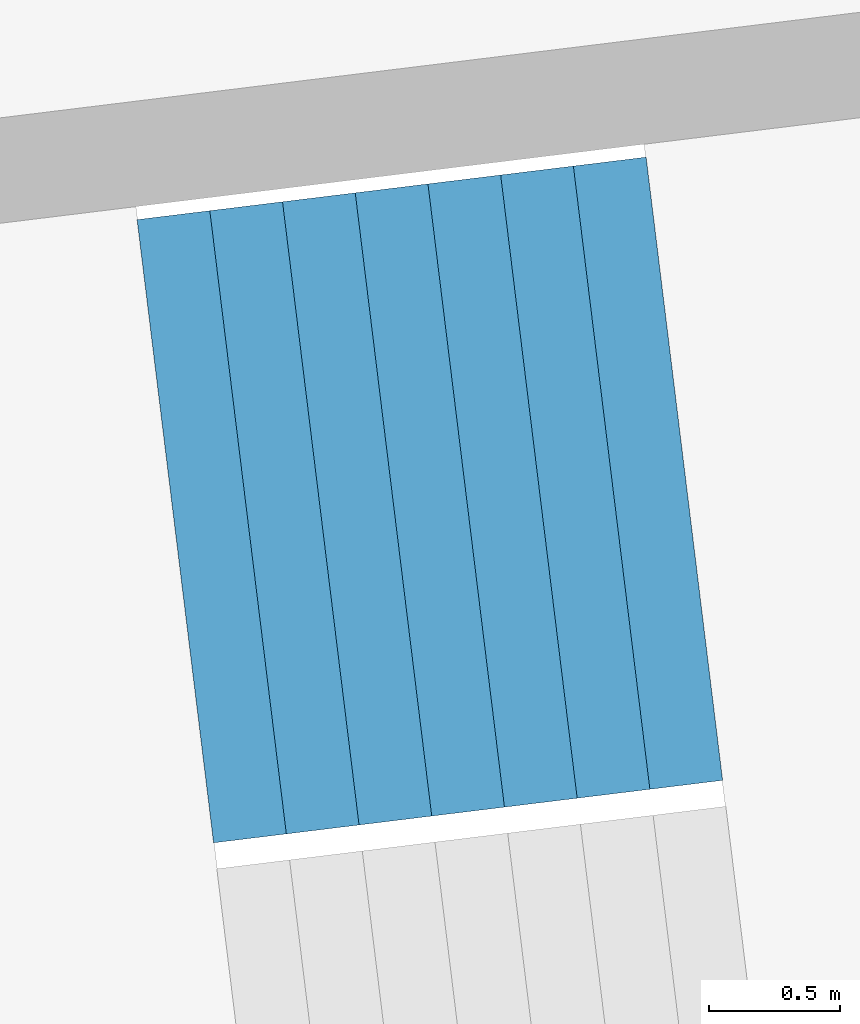
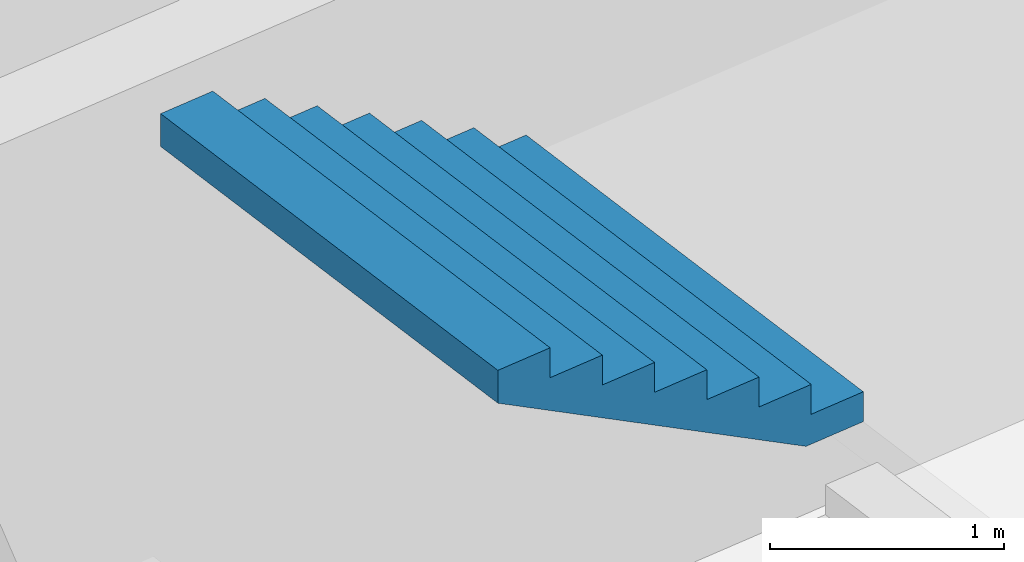
# One storey, part 60 of 73: 1 stair flight, 1 element without a shape of its own.
"""IFC4 building model written with IfcOpenShell, lengths in metres."""

from ifc_helpers import new_model, si_unit, direction, frame, origin, place, context, subcontext, project, spatial, triangles, material, type_object, element, aggregate, save


model = new_model("IFC4")

# Units and contexts
model_context = context("Model", 3, precision=1e-05, world=origin(), true_north=direction((0.0, 1.0)))
body_context = subcontext(model_context, "Body", "Model", "MODEL_VIEW")
ifc_project = project(units=[si_unit("LENGTHUNIT", "METRE"), si_unit("AREAUNIT", "SQUARE_METRE"), si_unit("VOLUMEUNIT", "CUBIC_METRE"), si_unit("PLANEANGLEUNIT", "RADIAN"), si_unit("MASSUNIT", "GRAM", prefix="KILO")], contexts=[model_context])

# Site, building, storey
site_placement = place(None, origin())
site = spatial("IfcSite", under=ifc_project, at=site_placement, CompositionType="ELEMENT")
building_placement = place(site_placement, origin())
building = spatial("IfcBuilding", under=site, at=building_placement, Name="Lantaw Convention Tower", CompositionType="ELEMENT")
storey_placement = place(building_placement, frame((0.0, 0.0, 27.0)))
storey = spatial("IfcBuildingStorey", under=building, at=storey_placement, Name="L04", CompositionType="ELEMENT", Elevation=27.0)

# Stair, stair flight
ifc_material = material(Name="Concrete C35/45", Category="concrete")
stair_type = type_object("IfcStairType", Name="Exit stair 2400 riser 156.25 in 4 flights", PredefinedType="HALF_TURN_STAIR", material=ifc_material)
stair_placement = place(storey_placement, origin())
stair = element("IfcStair", 1, at=stair_placement, inside=storey, type_object=stair_type, Name="Podium exit stair P1 L04", PredefinedType="HALF_TURN_STAIR")
stair_flight_type = type_object("IfcStairFlightType", Name="Stair flight 2400 riser 156.25", PredefinedType="STRAIGHT", material=ifc_material)
stair_flight_placement = place(storey_placement, frame((39.9169921875, 6.16064453125, 3.75), z_axis=(0.0, 0.0, 1.0), x_axis=(-0.992546151641, -0.121869343405, 0.0)))
stair_flight = element("IfcStairFlight", 2, at=stair_flight_placement, type_object=stair_flight_type, Name="P1 flight 4", NumberOfRisers=8, NumberOfTreads=7, PredefinedType="STRAIGHT", RiserHeight=0.15625, TreadLength=0.28, context=body_context, shape_type="Tessellation", body=[
    triangles([(0.0, 1.199951171875, 0.0), (0.0, 1.199951171875, 0.15625), (0.28, 1.199951171875, 0.0), (0.28, 1.199951171875, 0.15625), (0.28, 1.199951171875, 0.3125), (0.3076200632058044, 1.199951171875, 0.0), (0.3076200632058044, 1.199951171875, 0.3125), (0.56, 1.199951171875, 0.14083701830033238), (0.56, 1.199951171875, 0.3125), (0.56, 1.199951171875, 0.46875), (0.8400000000000001, 1.199951171875, 0.29708701830033235), (0.8400000000000001, 1.199951171875, 0.46875), (0.8400000000000001, 1.199951171875, 0.625), (1.12, 1.199951171875, 0.45333701830033235), (1.12, 1.199951171875, 0.625), (1.12, 1.199951171875, 0.78125), (1.4000000000000001, 1.199951171875, 0.6095870183003324), (1.4000000000000001, 1.199951171875, 0.78125), (1.4000000000000001, 1.199951171875, 0.9375), (1.6800000000000002, 1.199951171875, 0.7658370183003324), (1.6800000000000002, 1.199951171875, 0.9375), (1.6800000000000002, 1.199951171875, 1.09375), (1.9600000000000002, 1.199951171875, 0.9220870183003324), (1.9600000000000002, 1.199951171875, 1.09375), (0.0, -1.199951171875, 0.0), (0.0, -1.199951171875, 0.15625), (0.28, -1.199951171875, 0.0), (0.28, -1.199951171875, 0.15625), (0.28, -1.199951171875, 0.3125), (0.3076200632058044, -1.199951171875, 0.0), (0.3076200632058044, -1.199951171875, 0.3125), (0.56, -1.199951171875, 0.14083701830033238), (0.56, -1.199951171875, 0.3125), (0.56, -1.199951171875, 0.46875), (0.8400000000000001, -1.199951171875, 0.29708701830033235), (0.8400000000000001, -1.199951171875, 0.46875), (0.8400000000000001, -1.199951171875, 0.625), (1.12, -1.199951171875, 0.45333701830033235), (1.12, -1.199951171875, 0.625), (1.12, -1.199951171875, 0.78125), (1.4000000000000001, -1.199951171875, 0.6095870183003324), (1.4000000000000001, -1.199951171875, 0.78125), (1.4000000000000001, -1.199951171875, 0.9375), (1.6800000000000002, -1.199951171875, 0.7658370183003324), (1.6800000000000002, -1.199951171875, 0.9375), (1.6800000000000002, -1.199951171875, 1.09375), (1.9600000000000002, -1.199951171875, 0.9220870183003324), (1.9600000000000002, -1.199951171875, 1.09375), (0.0, 0.239990234375, 0.15625), (0.0, 0.239990234375, 0.0), (0.0, 0.1919921875, 0.15625), (0.0, 0.1919921875, 0.0), (0.0, 0.143994140625, 0.15625), (0.0, 0.143994140625, 0.0), (0.0, 0.09599609375, 0.15625), (0.0, 0.09599609375, 0.0), (0.0, 0.047998046875, 0.15625), (0.0, 0.047998046875, 0.0), (0.0, 0.0, 0.15625), (0.0, 0.0, 0.0), (0.0, -0.047998046875, 0.15625), (0.0, -0.047998046875, 0.0), (0.0, -0.09599609375, 0.15625), (0.0, -0.09599609375, 0.0), (0.0, -0.143994140625, 0.15625), (0.0, -0.143994140625, 0.0), (0.0, -0.1919921875, 0.15625), (0.0, -0.1919921875, 0.0), (0.0, -0.239990234375, 0.15625), (0.0, -0.239990234375, 0.0), (0.28, 0.239990234375, 0.3125), (0.28, 0.239990234375, 0.15625), (0.28, 0.1919921875, 0.3125), (0.28, 0.1919921875, 0.15625), (0.28, 0.143994140625, 0.3125), (0.28, 0.143994140625, 0.15625), (0.28, 0.09599609375, 0.3125), (0.28, 0.09599609375, 0.15625), (0.28, 0.047998046875, 0.3125), (0.28, 0.047998046875, 0.15625), (0.28, 0.0, 0.3125), (0.28, 0.0, 0.15625), (0.28, -0.047998046875, 0.3125), (0.28, -0.047998046875, 0.15625), (0.28, -0.09599609375, 0.3125), (0.28, -0.09599609375, 0.15625), (0.28, -0.143994140625, 0.3125), (0.28, -0.143994140625, 0.15625), (0.28, -0.1919921875, 0.3125), (0.28, -0.1919921875, 0.15625), (0.28, -0.239990234375, 0.3125), (0.28, -0.239990234375, 0.15625), (0.56, 0.239990234375, 0.46875), (0.56, 0.239990234375, 0.3125), (0.56, 0.1919921875, 0.46875), (0.56, 0.1919921875, 0.3125), (0.56, 0.143994140625, 0.46875), (0.56, 0.143994140625, 0.3125), (0.56, 0.09599609375, 0.46875), (0.56, 0.09599609375, 0.3125), (0.56, 0.047998046875, 0.46875), (0.56, 0.047998046875, 0.3125), (0.56, 0.0, 0.46875), (0.56, 0.0, 0.3125), (0.56, -0.047998046875, 0.46875), (0.56, -0.047998046875, 0.3125), (0.56, -0.09599609375, 0.46875), (0.56, -0.09599609375, 0.3125), (0.56, -0.143994140625, 0.46875), (0.56, -0.143994140625, 0.3125), (0.56, -0.1919921875, 0.46875), (0.56, -0.1919921875, 0.3125), (0.56, -0.239990234375, 0.46875), (0.56, -0.239990234375, 0.3125), (0.8400000000000001, 0.239990234375, 0.625), (0.8400000000000001, 0.239990234375, 0.46875), (0.8400000000000001, 0.1919921875, 0.625), (0.8400000000000001, 0.1919921875, 0.46875), (0.8400000000000001, 0.143994140625, 0.625), (0.8400000000000001, 0.143994140625, 0.46875), (0.8400000000000001, 0.09599609375, 0.625), (0.8400000000000001, 0.09599609375, 0.46875), (0.8400000000000001, 0.047998046875, 0.625), (0.8400000000000001, 0.047998046875, 0.46875), (0.8400000000000001, 0.0, 0.625), (0.8400000000000001, 0.0, 0.46875), (0.8400000000000001, -0.047998046875, 0.625), (0.8400000000000001, -0.047998046875, 0.46875), (0.8400000000000001, -0.09599609375, 0.625), (0.8400000000000001, -0.09599609375, 0.46875), (0.8400000000000001, -0.143994140625, 0.625), (0.8400000000000001, -0.143994140625, 0.46875), (0.8400000000000001, -0.1919921875, 0.625), (0.8400000000000001, -0.1919921875, 0.46875), (0.8400000000000001, -0.239990234375, 0.625), (0.8400000000000001, -0.239990234375, 0.46875), (1.12, 0.239990234375, 0.78125), (1.12, 0.239990234375, 0.625), (1.12, 0.1919921875, 0.78125), (1.12, 0.1919921875, 0.625), (1.12, 0.143994140625, 0.78125), (1.12, 0.143994140625, 0.625), (1.12, 0.09599609375, 0.78125), (1.12, 0.09599609375, 0.625), (1.12, 0.047998046875, 0.78125), (1.12, 0.047998046875, 0.625), (1.12, 0.0, 0.78125), (1.12, 0.0, 0.625), (1.12, -0.047998046875, 0.78125), (1.12, -0.047998046875, 0.625), (1.12, -0.09599609375, 0.78125), (1.12, -0.09599609375, 0.625), (1.12, -0.143994140625, 0.78125), (1.12, -0.143994140625, 0.625), (1.12, -0.1919921875, 0.78125), (1.12, -0.1919921875, 0.625), (1.12, -0.239990234375, 0.78125), (1.12, -0.239990234375, 0.625), (1.4000000000000001, 0.239990234375, 0.9375), (1.4000000000000001, 0.239990234375, 0.78125), (1.4000000000000001, 0.1919921875, 0.9375), (1.4000000000000001, 0.1919921875, 0.78125), (1.4000000000000001, 0.143994140625, 0.9375), (1.4000000000000001, 0.143994140625, 0.78125), (1.4000000000000001, 0.09599609375, 0.9375), (1.4000000000000001, 0.09599609375, 0.78125), (1.4000000000000001, 0.047998046875, 0.9375), (1.4000000000000001, 0.047998046875, 0.78125), (1.4000000000000001, 0.0, 0.9375), (1.4000000000000001, 0.0, 0.78125), (1.4000000000000001, -0.047998046875, 0.9375), (1.4000000000000001, -0.047998046875, 0.78125), (1.4000000000000001, -0.09599609375, 0.9375), (1.4000000000000001, -0.09599609375, 0.78125), (1.4000000000000001, -0.143994140625, 0.9375), (1.4000000000000001, -0.143994140625, 0.78125), (1.4000000000000001, -0.1919921875, 0.9375), (1.4000000000000001, -0.1919921875, 0.78125), (1.4000000000000001, -0.239990234375, 0.9375), (1.4000000000000001, -0.239990234375, 0.78125), (1.6800000000000002, 0.239990234375, 1.09375), (1.6800000000000002, 0.239990234375, 0.9375), (1.6800000000000002, 0.1919921875, 1.09375), (1.6800000000000002, 0.1919921875, 0.9375), (1.6800000000000002, 0.143994140625, 1.09375), (1.6800000000000002, 0.143994140625, 0.9375), (1.6800000000000002, 0.09599609375, 1.09375), (1.6800000000000002, 0.09599609375, 0.9375), (1.6800000000000002, 0.047998046875, 1.09375), (1.6800000000000002, 0.047998046875, 0.9375), (1.6800000000000002, 0.0, 1.09375), (1.6800000000000002, 0.0, 0.9375), (1.6800000000000002, -0.047998046875, 1.09375), (1.6800000000000002, -0.047998046875, 0.9375), (1.6800000000000002, -0.09599609375, 1.09375), (1.6800000000000002, -0.09599609375, 0.9375), (1.6800000000000002, -0.143994140625, 1.09375), (1.6800000000000002, -0.143994140625, 0.9375), (1.6800000000000002, -0.1919921875, 1.09375), (1.6800000000000002, -0.1919921875, 0.9375), (1.6800000000000002, -0.239990234375, 1.09375), (1.6800000000000002, -0.239990234375, 0.9375), (0.3076200632058044, 0.239990234375, 0.3125), (0.3076200632058044, 0.1919921875, 0.3125), (0.3076200632058044, 0.143994140625, 0.3125), (0.3076200632058044, 0.09599609375, 0.3125), (0.3076200632058044, 0.047998046875, 0.3125), (0.3076200632058044, 0.0, 0.3125), (0.3076200632058044, -0.047998046875, 0.3125), (0.3076200632058044, -0.09599609375, 0.3125), (0.3076200632058044, -0.143994140625, 0.3125), (0.3076200632058044, -0.1919921875, 0.3125), (0.3076200632058044, -0.239990234375, 0.3125), (1.9600000000000002, 0.239990234375, 1.09375), (1.9600000000000002, 0.1919921875, 1.09375), (1.9600000000000002, 0.143994140625, 1.09375), (1.9600000000000002, 0.09599609375, 1.09375), (1.9600000000000002, 0.047998046875, 1.09375), (1.9600000000000002, 0.0, 1.09375), (1.9600000000000002, -0.047998046875, 1.09375), (1.9600000000000002, -0.09599609375, 1.09375), (1.9600000000000002, -0.143994140625, 1.09375), (1.9600000000000002, -0.1919921875, 1.09375), (1.9600000000000002, -0.239990234375, 1.09375), (1.9600000000000002, 0.239990234375, 0.9220870183003324), (1.9600000000000002, 0.1919921875, 0.9220870183003324), (1.9600000000000002, 0.143994140625, 0.9220870183003324), (1.9600000000000002, 0.09599609375, 0.9220870183003324), (1.9600000000000002, 0.047998046875, 0.9220870183003324), (1.9600000000000002, 0.0, 0.9220870183003324), (1.9600000000000002, -0.047998046875, 0.9220870183003324), (1.9600000000000002, -0.09599609375, 0.9220870183003324), (1.9600000000000002, -0.143994140625, 0.9220870183003324), (1.9600000000000002, -0.1919921875, 0.9220870183003324), (1.9600000000000002, -0.239990234375, 0.9220870183003324), (1.6800000000000002, 0.239990234375, 0.7658370183003324), (1.6800000000000002, 0.1919921875, 0.7658370183003324), (1.6800000000000002, 0.143994140625, 0.7658370183003324), (1.6800000000000002, 0.09599609375, 0.7658370183003324), (1.6800000000000002, 0.047998046875, 0.7658370183003324), (1.6800000000000002, 0.0, 0.7658370183003324), (1.6800000000000002, -0.047998046875, 0.7658370183003324), (1.6800000000000002, -0.09599609375, 0.7658370183003324), (1.6800000000000002, -0.143994140625, 0.7658370183003324), (1.6800000000000002, -0.1919921875, 0.7658370183003324), (1.6800000000000002, -0.239990234375, 0.7658370183003324), (1.4000000000000001, 0.239990234375, 0.6095870183003324), (1.4000000000000001, 0.1919921875, 0.6095870183003324), (1.4000000000000001, 0.143994140625, 0.6095870183003324), (1.4000000000000001, 0.09599609375, 0.6095870183003324), (1.4000000000000001, 0.047998046875, 0.6095870183003324), (1.4000000000000001, 0.0, 0.6095870183003324), (1.4000000000000001, -0.047998046875, 0.6095870183003324), (1.4000000000000001, -0.09599609375, 0.6095870183003324), (1.4000000000000001, -0.143994140625, 0.6095870183003324), (1.4000000000000001, -0.1919921875, 0.6095870183003324), (1.4000000000000001, -0.239990234375, 0.6095870183003324), (1.12, 0.239990234375, 0.45333701830033235), (1.12, 0.1919921875, 0.45333701830033235), (1.12, 0.143994140625, 0.45333701830033235), (1.12, 0.09599609375, 0.45333701830033235), (1.12, 0.047998046875, 0.45333701830033235), (1.12, 0.0, 0.45333701830033235), (1.12, -0.047998046875, 0.45333701830033235), (1.12, -0.09599609375, 0.45333701830033235), (1.12, -0.143994140625, 0.45333701830033235), (1.12, -0.1919921875, 0.45333701830033235), (1.12, -0.239990234375, 0.45333701830033235), (0.8400000000000001, 0.239990234375, 0.29708701830033235), (0.8400000000000001, 0.1919921875, 0.29708701830033235), (0.8400000000000001, 0.143994140625, 0.29708701830033235), (0.8400000000000001, 0.09599609375, 0.29708701830033235), (0.8400000000000001, 0.047998046875, 0.29708701830033235), (0.8400000000000001, 0.0, 0.29708701830033235), (0.8400000000000001, -0.047998046875, 0.29708701830033235), (0.8400000000000001, -0.09599609375, 0.29708701830033235), (0.8400000000000001, -0.143994140625, 0.29708701830033235), (0.8400000000000001, -0.1919921875, 0.29708701830033235), (0.8400000000000001, -0.239990234375, 0.29708701830033235), (0.56, 0.239990234375, 0.14083701830033238), (0.56, 0.1919921875, 0.14083701830033238), (0.56, 0.143994140625, 0.14083701830033238), (0.56, 0.09599609375, 0.14083701830033238), (0.56, 0.047998046875, 0.14083701830033238), (0.56, 0.0, 0.14083701830033238), (0.56, -0.047998046875, 0.14083701830033238), (0.56, -0.09599609375, 0.14083701830033238), (0.56, -0.143994140625, 0.14083701830033238), (0.56, -0.1919921875, 0.14083701830033238), (0.56, -0.239990234375, 0.14083701830033238), (0.3076200632058044, 0.239990234375, 0.0), (0.3076200632058044, 0.1919921875, 0.0), (0.3076200632058044, 0.143994140625, 0.0), (0.3076200632058044, 0.09599609375, 0.0), (0.3076200632058044, 0.047998046875, 0.0), (0.3076200632058044, 0.0, 0.0), (0.3076200632058044, -0.047998046875, 0.0), (0.3076200632058044, -0.09599609375, 0.0), (0.3076200632058044, -0.143994140625, 0.0), (0.3076200632058044, -0.1919921875, 0.0), (0.3076200632058044, -0.239990234375, 0.0), (0.28, 0.239990234375, 0.0), (0.28, 0.1919921875, 0.0), (0.28, 0.143994140625, 0.0), (0.28, 0.09599609375, 0.0), (0.28, 0.047998046875, 0.0), (0.28, 0.0, 0.0), (0.28, -0.047998046875, 0.0), (0.28, -0.09599609375, 0.0), (0.28, -0.143994140625, 0.0), (0.28, -0.1919921875, 0.0), (0.28, -0.239990234375, 0.0)], [[1, 4, 3], [1, 2, 4], [3, 4, 6], [4, 7, 6], [4, 5, 7], [6, 9, 8], [6, 7, 9], [8, 9, 11], [9, 12, 11], [9, 10, 12], [11, 12, 14], [12, 15, 14], [12, 13, 15], [14, 15, 17], [15, 18, 17], [15, 16, 18], [17, 18, 20], [18, 21, 20], [18, 19, 21], [20, 21, 23], [21, 24, 23], [21, 22, 24], [25, 27, 28], [25, 28, 26], [27, 30, 28], [28, 30, 31], [28, 31, 29], [30, 32, 33], [30, 33, 31], [32, 35, 33], [33, 35, 36], [33, 36, 34], [35, 38, 36], [36, 38, 39], [36, 39, 37], [38, 41, 39], [39, 41, 42], [39, 42, 40], [41, 44, 42], [42, 44, 45], [42, 45, 43], [44, 47, 45], [45, 47, 48], [45, 48, 46], [1, 49, 2], [1, 50, 49], [50, 51, 49], [50, 52, 51], [52, 53, 51], [52, 54, 53], [54, 55, 53], [54, 56, 55], [56, 57, 55], [56, 58, 57], [58, 59, 57], [58, 60, 59], [60, 61, 59], [60, 62, 61], [62, 63, 61], [62, 64, 63], [64, 65, 63], [64, 66, 65], [66, 67, 65], [66, 68, 67], [68, 69, 67], [68, 70, 69], [70, 26, 69], [70, 25, 26], [4, 71, 5], [4, 72, 71], [72, 73, 71], [72, 74, 73], [74, 75, 73], [74, 76, 75], [76, 77, 75], [76, 78, 77], [78, 79, 77], [78, 80, 79], [80, 81, 79], [80, 82, 81], [82, 83, 81], [82, 84, 83], [84, 85, 83], [84, 86, 85], [86, 87, 85], [86, 88, 87], [88, 89, 87], [88, 90, 89], [90, 91, 89], [90, 92, 91], [92, 29, 91], [92, 28, 29], [9, 93, 10], [9, 94, 93], [94, 95, 93], [94, 96, 95], [96, 97, 95], [96, 98, 97], [98, 99, 97], [98, 100, 99], [100, 101, 99], [100, 102, 101], [102, 103, 101], [102, 104, 103], [104, 105, 103], [104, 106, 105], [106, 107, 105], [106, 108, 107], [108, 109, 107], [108, 110, 109], [110, 111, 109], [110, 112, 111], [112, 113, 111], [112, 114, 113], [114, 34, 113], [114, 33, 34], [12, 115, 13], [12, 116, 115], [116, 117, 115], [116, 118, 117], [118, 119, 117], [118, 120, 119], [120, 121, 119], [120, 122, 121], [122, 123, 121], [122, 124, 123], [124, 125, 123], [124, 126, 125], [126, 127, 125], [126, 128, 127], [128, 129, 127], [128, 130, 129], [130, 131, 129], [130, 132, 131], [132, 133, 131], [132, 134, 133], [134, 135, 133], [134, 136, 135], [136, 37, 135], [136, 36, 37], [15, 137, 16], [15, 138, 137], [138, 139, 137], [138, 140, 139], [140, 141, 139], [140, 142, 141], [142, 143, 141], [142, 144, 143], [144, 145, 143], [144, 146, 145], [146, 147, 145], [146, 148, 147], [148, 149, 147], [148, 150, 149], [150, 151, 149], [150, 152, 151], [152, 153, 151], [152, 154, 153], [154, 155, 153], [154, 156, 155], [156, 157, 155], [156, 158, 157], [158, 40, 157], [158, 39, 40], [18, 159, 19], [18, 160, 159], [160, 161, 159], [160, 162, 161], [162, 163, 161], [162, 164, 163], [164, 165, 163], [164, 166, 165], [166, 167, 165], [166, 168, 167], [168, 169, 167], [168, 170, 169], [170, 171, 169], [170, 172, 171], [172, 173, 171], [172, 174, 173], [174, 175, 173], [174, 176, 175], [176, 177, 175], [176, 178, 177], [178, 179, 177], [178, 180, 179], [180, 43, 179], [180, 42, 43], [21, 181, 22], [21, 182, 181], [182, 183, 181], [182, 184, 183], [184, 185, 183], [184, 186, 185], [186, 187, 185], [186, 188, 187], [188, 189, 187], [188, 190, 189], [190, 191, 189], [190, 192, 191], [192, 193, 191], [192, 194, 193], [194, 195, 193], [194, 196, 195], [196, 197, 195], [196, 198, 197], [198, 199, 197], [198, 200, 199], [200, 201, 199], [200, 202, 201], [202, 46, 201], [202, 45, 46], [2, 72, 4], [2, 49, 72], [49, 74, 72], [49, 51, 74], [51, 76, 74], [51, 53, 76], [53, 78, 76], [53, 55, 78], [55, 80, 78], [55, 57, 80], [57, 82, 80], [57, 59, 82], [59, 84, 82], [59, 61, 84], [61, 86, 84], [61, 63, 86], [63, 88, 86], [63, 65, 88], [65, 90, 88], [65, 67, 90], [67, 92, 90], [67, 69, 92], [69, 28, 92], [69, 26, 28], [5, 203, 7], [5, 71, 203], [71, 204, 203], [71, 73, 204], [73, 205, 204], [73, 75, 205], [75, 206, 205], [75, 77, 206], [77, 207, 206], [77, 79, 207], [79, 208, 207], [79, 81, 208], [81, 209, 208], [81, 83, 209], [83, 210, 209], [83, 85, 210], [85, 211, 210], [85, 87, 211], [87, 212, 211], [87, 89, 212], [89, 213, 212], [89, 91, 213], [91, 31, 213], [91, 29, 31], [7, 94, 9], [7, 203, 94], [203, 96, 94], [203, 204, 96], [204, 98, 96], [204, 205, 98], [205, 100, 98], [205, 206, 100], [206, 102, 100], [206, 207, 102], [207, 104, 102], [207, 208, 104], [208, 106, 104], [208, 209, 106], [209, 108, 106], [209, 210, 108], [210, 110, 108], [210, 211, 110], [211, 112, 110], [211, 212, 112], [212, 114, 112], [212, 213, 114], [213, 33, 114], [213, 31, 33], [10, 116, 12], [10, 93, 116], [93, 118, 116], [93, 95, 118], [95, 120, 118], [95, 97, 120], [97, 122, 120], [97, 99, 122], [99, 124, 122], [99, 101, 124], [101, 126, 124], [101, 103, 126], [103, 128, 126], [103, 105, 128], [105, 130, 128], [105, 107, 130], [107, 132, 130], [107, 109, 132], [109, 134, 132], [109, 111, 134], [111, 136, 134], [111, 113, 136], [113, 36, 136], [113, 34, 36], [13, 138, 15], [13, 115, 138], [115, 140, 138], [115, 117, 140], [117, 142, 140], [117, 119, 142], [119, 144, 142], [119, 121, 144], [121, 146, 144], [121, 123, 146], [123, 148, 146], [123, 125, 148], [125, 150, 148], [125, 127, 150], [127, 152, 150], [127, 129, 152], [129, 154, 152], [129, 131, 154], [131, 156, 154], [131, 133, 156], [133, 158, 156], [133, 135, 158], [135, 39, 158], [135, 37, 39], [16, 160, 18], [16, 137, 160], [137, 162, 160], [137, 139, 162], [139, 164, 162], [139, 141, 164], [141, 166, 164], [141, 143, 166], [143, 168, 166], [143, 145, 168], [145, 170, 168], [145, 147, 170], [147, 172, 170], [147, 149, 172], [149, 174, 172], [149, 151, 174], [151, 176, 174], [151, 153, 176], [153, 178, 176], [153, 155, 178], [155, 180, 178], [155, 157, 180], [157, 42, 180], [157, 40, 42], [19, 182, 21], [19, 159, 182], [159, 184, 182], [159, 161, 184], [161, 186, 184], [161, 163, 186], [163, 188, 186], [163, 165, 188], [165, 190, 188], [165, 167, 190], [167, 192, 190], [167, 169, 192], [169, 194, 192], [169, 171, 194], [171, 196, 194], [171, 173, 196], [173, 198, 196], [173, 175, 198], [175, 200, 198], [175, 177, 200], [177, 202, 200], [177, 179, 202], [179, 45, 202], [179, 43, 45], [22, 214, 24], [22, 181, 214], [181, 215, 214], [181, 183, 215], [183, 216, 215], [183, 185, 216], [185, 217, 216], [185, 187, 217], [187, 218, 217], [187, 189, 218], [189, 219, 218], [189, 191, 219], [191, 220, 219], [191, 193, 220], [193, 221, 220], [193, 195, 221], [195, 222, 221], [195, 197, 222], [197, 223, 222], [197, 199, 223], [199, 224, 223], [199, 201, 224], [201, 48, 224], [201, 46, 48], [24, 225, 23], [24, 214, 225], [214, 226, 225], [214, 215, 226], [215, 227, 226], [215, 216, 227], [216, 228, 227], [216, 217, 228], [217, 229, 228], [217, 218, 229], [218, 230, 229], [218, 219, 230], [219, 231, 230], [219, 220, 231], [220, 232, 231], [220, 221, 232], [221, 233, 232], [221, 222, 233], [222, 234, 233], [222, 223, 234], [223, 235, 234], [223, 224, 235], [224, 47, 235], [224, 48, 47], [23, 236, 20], [23, 225, 236], [225, 237, 236], [225, 226, 237], [226, 238, 237], [226, 227, 238], [227, 239, 238], [227, 228, 239], [228, 240, 239], [228, 229, 240], [229, 241, 240], [229, 230, 241], [230, 242, 241], [230, 231, 242], [231, 243, 242], [231, 232, 243], [232, 244, 243], [232, 233, 244], [233, 245, 244], [233, 234, 245], [234, 246, 245], [234, 235, 246], [235, 44, 246], [235, 47, 44], [20, 247, 17], [20, 236, 247], [236, 248, 247], [236, 237, 248], [237, 249, 248], [237, 238, 249], [238, 250, 249], [238, 239, 250], [239, 251, 250], [239, 240, 251], [240, 252, 251], [240, 241, 252], [241, 253, 252], [241, 242, 253], [242, 254, 253], [242, 243, 254], [243, 255, 254], [243, 244, 255], [244, 256, 255], [244, 245, 256], [245, 257, 256], [245, 246, 257], [246, 41, 257], [246, 44, 41], [17, 258, 14], [17, 247, 258], [247, 259, 258], [247, 248, 259], [248, 260, 259], [248, 249, 260], [249, 261, 260], [249, 250, 261], [250, 262, 261], [250, 251, 262], [251, 263, 262], [251, 252, 263], [252, 264, 263], [252, 253, 264], [253, 265, 264], [253, 254, 265], [254, 266, 265], [254, 255, 266], [255, 267, 266], [255, 256, 267], [256, 268, 267], [256, 257, 268], [257, 38, 268], [257, 41, 38], [14, 269, 11], [14, 258, 269], [258, 270, 269], [258, 259, 270], [259, 271, 270], [259, 260, 271], [260, 272, 271], [260, 261, 272], [261, 273, 272], [261, 262, 273], [262, 274, 273], [262, 263, 274], [263, 275, 274], [263, 264, 275], [264, 276, 275], [264, 265, 276], [265, 277, 276], [265, 266, 277], [266, 278, 277], [266, 267, 278], [267, 279, 278], [267, 268, 279], [268, 35, 279], [268, 38, 35], [11, 280, 8], [11, 269, 280], [269, 281, 280], [269, 270, 281], [270, 282, 281], [270, 271, 282], [271, 283, 282], [271, 272, 283], [272, 284, 283], [272, 273, 284], [273, 285, 284], [273, 274, 285], [274, 286, 285], [274, 275, 286], [275, 287, 286], [275, 276, 287], [276, 288, 287], [276, 277, 288], [277, 289, 288], [277, 278, 289], [278, 290, 289], [278, 279, 290], [279, 32, 290], [279, 35, 32], [8, 291, 6], [8, 280, 291], [280, 292, 291], [280, 281, 292], [281, 293, 292], [281, 282, 293], [282, 294, 293], [282, 283, 294], [283, 295, 294], [283, 284, 295], [284, 296, 295], [284, 285, 296], [285, 297, 296], [285, 286, 297], [286, 298, 297], [286, 287, 298], [287, 299, 298], [287, 288, 299], [288, 300, 299], [288, 289, 300], [289, 301, 300], [289, 290, 301], [290, 30, 301], [290, 32, 30], [6, 302, 3], [6, 291, 302], [291, 303, 302], [291, 292, 303], [292, 304, 303], [292, 293, 304], [293, 305, 304], [293, 294, 305], [294, 306, 305], [294, 295, 306], [295, 307, 306], [295, 296, 307], [296, 308, 307], [296, 297, 308], [297, 309, 308], [297, 298, 309], [298, 310, 309], [298, 299, 310], [299, 311, 310], [299, 300, 311], [300, 312, 311], [300, 301, 312], [301, 27, 312], [301, 30, 27], [3, 50, 1], [3, 302, 50], [302, 52, 50], [302, 303, 52], [303, 54, 52], [303, 304, 54], [304, 56, 54], [304, 305, 56], [305, 58, 56], [305, 306, 58], [306, 60, 58], [306, 307, 60], [307, 62, 60], [307, 308, 62], [308, 64, 62], [308, 309, 64], [309, 66, 64], [309, 310, 66], [310, 68, 66], [310, 311, 68], [311, 70, 68], [311, 312, 70], [312, 25, 70], [312, 27, 25]], closed=True),
])
aggregate(stair, [stair_flight])

save(model, "model.ifc")
